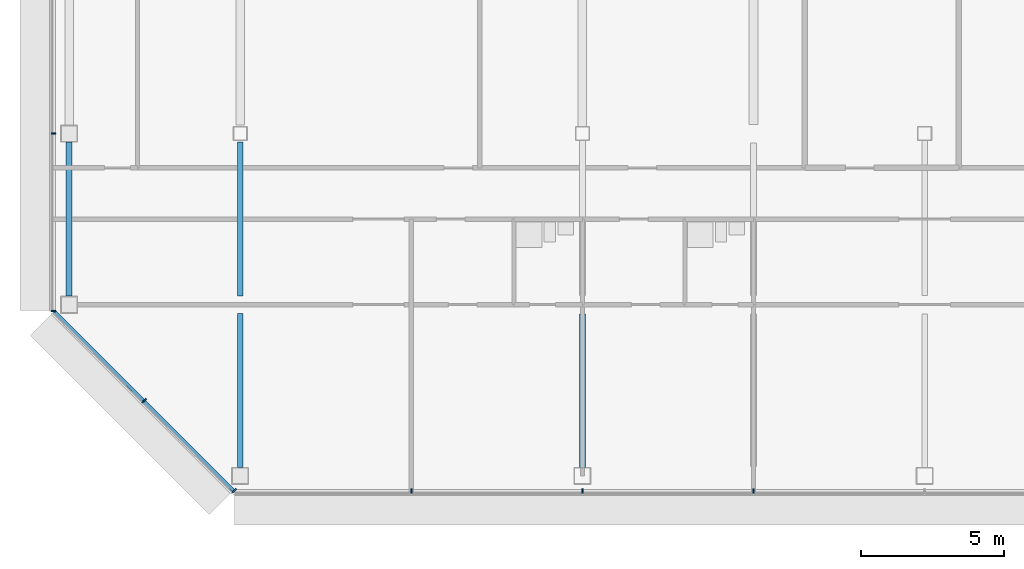
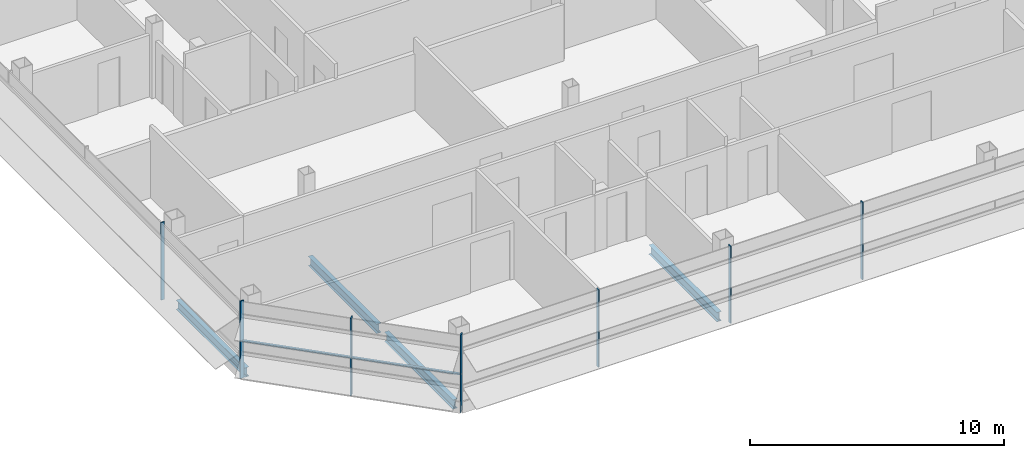
# One storey, part 3 of 28: 8 members, 4 beams, 3 elements without a shape of their own.
"""IFC4 building model written with IfcOpenShell, lengths in metres."""

from ifc_helpers import new_model, si_unit, direction, frame, origin, origin_2d, place, context, subcontext, project, spatial, rectangle, i_section, extrude, material, material_profile, profile_set, type_object, element, aggregate, save


model = new_model("IFC4")

# Units and contexts
model_context = context("Model", 3, precision=1e-05, world=origin(), true_north=direction((0.0, 1.0)))
body_context = subcontext(model_context, "Body", "Model", "MODEL_VIEW")
ifc_project = project(units=[si_unit("LENGTHUNIT", "METRE"), si_unit("AREAUNIT", "SQUARE_METRE"), si_unit("VOLUMEUNIT", "CUBIC_METRE"), si_unit("PLANEANGLEUNIT", "RADIAN"), si_unit("MASSUNIT", "GRAM", prefix="KILO")], contexts=[model_context])

# Site, building, storey
site_placement = place(None, origin())
site = spatial("IfcSite", under=ifc_project, at=site_placement, CompositionType="ELEMENT")
building_placement = place(site_placement, origin())
building = spatial("IfcBuilding", under=site, at=building_placement, Name="Sorahane Residences", CompositionType="ELEMENT")
storey_placement = place(building_placement, frame((0.0, 0.0, 290.800048828125)))
storey = spatial("IfcBuildingStorey", under=building, at=storey_placement, Name="L68", CompositionType="ELEMENT", Elevation=290.800048828125)

# Curtain wall, members
ifc_material_1 = material(Name="Dark low-e glass and black anodised aluminium", Category="aluminium")
curtain_wall_type_1 = type_object("IfcCurtainWallType", Name="Curtain wall CW-1 Typical unitised wall", PredefinedType="NOTDEFINED", material=ifc_material_1)
curtain_wall_1_placement = place(storey_placement, origin())
curtain_wall_1 = element("IfcCurtainWall", 1, at=curtain_wall_1_placement, inside=storey, type_object=curtain_wall_type_1, Name="CW-1 curtain wall L68 S1", PredefinedType="NOTDEFINED")
ifc_material_2 = material(Name="Black anodised aluminium", Category="aluminium")
ifc_material_profile_1 = material_profile(ifc_material_2, rectangle(XDim=0.159912109375, YDim=0.050048828125, at=origin_2d()), Name="Curtain wall mullion CW-1 black anodised aluminium 50x160")
ifc_profile_set_1 = profile_set([ifc_material_profile_1], Name="Black anodised aluminium")
member_type_1 = type_object("IfcMemberType", Name="Curtain wall mullion CW-1 black anodised aluminium 50x160", PredefinedType="MULLION", material=ifc_profile_set_1)
member_1_placement = place(storey_placement, frame((-6.0, -0.5400390625, -0.300048828125), z_axis=(0.0, 0.0, 1.0), x_axis=(0.0, -1.0, 0.0)))
member_1 = element("IfcMember", 2, at=member_1_placement, type_object=member_type_1, Name="CW-1 mullion L68 S1.2", PredefinedType="MULLION", context=body_context, shape_type="SweptSolid", body=[
    extrude(rectangle(XDim=0.159912109375, YDim=0.050048828125, at=origin_2d()), origin(), (0.0, 0.0, 1.0), 3.719970703125),
])
member_2_placement = place(storey_placement, frame((0.0, -0.5400390625, -0.300048828125), z_axis=(0.0, 0.0, 1.0), x_axis=(0.0, -1.0, 0.0)))
member_2 = element("IfcMember", 3, at=member_2_placement, type_object=member_type_1, Name="CW-1 mullion L68 S1.3", PredefinedType="MULLION", context=body_context, shape_type="SweptSolid", body=[
    extrude(rectangle(XDim=0.159912109375, YDim=0.050048828125, at=origin_2d()), origin(), (0.0, 0.0, 1.0), 3.719970703125),
])
member_3_placement = place(storey_placement, frame((6.0, -0.5400390625, -0.300048828125), z_axis=(0.0, 0.0, 1.0), x_axis=(0.0, -1.0, 0.0)))
member_3 = element("IfcMember", 4, at=member_3_placement, type_object=member_type_1, Name="CW-1 mullion L68 S1.4", PredefinedType="MULLION", context=body_context, shape_type="SweptSolid", body=[
    extrude(rectangle(XDim=0.159912109375, YDim=0.050048828125, at=origin_2d()), origin(), (0.0, 0.0, 1.0), 3.719970703125),
])
aggregate(curtain_wall_1, [member_1, member_2, member_3])

curtain_wall_2_placement = place(storey_placement, origin())
curtain_wall_2 = element("IfcCurtainWall", 5, at=curtain_wall_2_placement, inside=storey, type_object=curtain_wall_type_1, Name="CW-1 curtain wall L68 W1", PredefinedType="NOTDEFINED")
member_4_placement = place(storey_placement, frame((-18.5400390625, 12.0, -0.300048828125), z_axis=(0.0, 0.0, 1.0), x_axis=(-1.0, 0.0, 0.0)))
member_4 = element("IfcMember", 6, at=member_4_placement, type_object=member_type_1, Name="CW-1 mullion L68 W1.6", PredefinedType="MULLION", context=body_context, shape_type="SweptSolid", body=[
    extrude(rectangle(XDim=0.159912109375, YDim=0.050048828125, at=origin_2d()), origin(), (0.0, 0.0, 1.0), 3.719970703125),
])
member_5_placement = place(storey_placement, frame((-18.5400390625, 5.7763671875, -0.300048828125), z_axis=(0.0, 0.0, 1.0), x_axis=(-1.0, 0.0, 0.0)))
member_5 = element("IfcMember", 7, at=member_5_placement, type_object=member_type_1, Name="CW-1 mullion L68 W1.7", PredefinedType="MULLION", context=body_context, shape_type="SweptSolid", body=[
    extrude(rectangle(XDim=0.159912109375, YDim=0.050048828125, at=origin_2d()), origin(), (0.0, 0.0, 1.0), 3.719970703125),
])
aggregate(curtain_wall_2, [member_4, member_5])

ifc_material_3 = material(Name="Dark low-e glass and black anodised aluminium", Category="aluminium")
curtain_wall_type_2 = type_object("IfcCurtainWallType", Name="Curtain wall CW-2 Chamfer unitised wall", PredefinedType="NOTDEFINED", material=ifc_material_3)
curtain_wall_3_placement = place(storey_placement, origin())
curtain_wall_3 = element("IfcCurtainWall", 8, at=curtain_wall_3_placement, inside=storey, type_object=curtain_wall_type_2, Name="CW-2 curtain wall L68 SW1", PredefinedType="NOTDEFINED")
ifc_material_4 = material(Name="Black anodised aluminium", Category="aluminium")
ifc_material_profile_2 = material_profile(ifc_material_4, rectangle(XDim=0.199951171875, YDim=0.050048828125, at=origin_2d()), Name="Curtain wall mullion CW-2 black anodised aluminium 50x200")
ifc_profile_set_2 = profile_set([ifc_material_profile_2], Name="Black anodised aluminium")
member_type_2 = type_object("IfcMemberType", Name="Curtain wall mullion CW-2 black anodised aluminium 50x200", PredefinedType="MULLION", material=ifc_profile_set_2)
member_6_placement = place(storey_placement, frame((-15.36767578125, 2.63232421875, -0.300048828125), z_axis=(0.0, 0.0, 1.0), x_axis=(-0.707106781187, -0.707106781187, 0.0)))
member_6 = element("IfcMember", 9, at=member_6_placement, type_object=member_type_2, Name="CW-2 mullion L68 SW1.2", PredefinedType="MULLION", context=body_context, shape_type="SweptSolid", body=[
    extrude(rectangle(XDim=0.199951171875, YDim=0.050048828125, at=origin_2d()), origin(), (0.0, 0.0, 1.0), 3.719970703125),
])
member_7_placement = place(storey_placement, frame((-12.209716796875, -0.525634765625, -0.300048828125), z_axis=(0.0, 0.0, 1.0), x_axis=(-0.707106781187, -0.707106781187, 0.0)))
member_7 = element("IfcMember", 10, at=member_7_placement, type_object=member_type_2, Name="CW-2 mullion L68 SW1.3", PredefinedType="MULLION", context=body_context, shape_type="SweptSolid", body=[
    extrude(rectangle(XDim=0.199951171875, YDim=0.050048828125, at=origin_2d()), origin(), (0.0, 0.0, 1.0), 3.719970703125),
])
ifc_material_5 = material(Name="Black anodised aluminium", Category="aluminium")
ifc_material_profile_3 = material_profile(ifc_material_5, rectangle(XDim=0.10009765625, YDim=0.06005859375, at=origin_2d()), Name="Curtain wall transom CW-2 black anodised aluminium 60x100")
ifc_profile_set_3 = profile_set([ifc_material_profile_3], Name="Black anodised aluminium")
member_type_3 = type_object("IfcMemberType", Name="Curtain wall transom CW-2 black anodised aluminium 60x100", PredefinedType="USERDEFINED", material=ifc_profile_set_3)
member_8_placement = place(storey_placement, frame((-18.51513671875, 5.765625, 1.5), z_axis=(0.707106781187, -0.707106781187, 0.0), x_axis=(0.707106781187, 0.707106781187, 0.0)))
member_8 = element("IfcMember", 11, at=member_8_placement, type_object=member_type_3, Name="CW-2 transom L68 SW1", ObjectType="TRANSOM", PredefinedType="USERDEFINED", context=body_context, shape_type="SweptSolid", body=[
    extrude(rectangle(XDim=0.10009765625, YDim=0.06005859375, at=origin_2d()), origin(), (0.0, 0.0, 1.0), 8.88232421875),
])
aggregate(curtain_wall_3, [member_6, member_7, member_8])

# Beams
ifc_material_6 = material(Name="Steel Q355B", Category="steel")
ifc_material_profile_4 = material_profile(ifc_material_6, i_section(OverallWidth=0.199951171875, OverallDepth=0.449951171875, WebThickness=0.009033203125, FlangeThickness=0.013916015625, FilletRadius=0.02001953125, at=origin_2d()), Name="HN 450x200x9x14")
ifc_profile_set_4 = profile_set([ifc_material_profile_4], Name="Steel Q355B")
beam_type = type_object("IfcBeamType", Name="Steel floor beam HN 450x200x9x14 Q355B", PredefinedType="BEAM", material=ifc_profile_set_4)
for number, where, z_axis, x_axis, name in (
    (12, (-18.0, 6.300048828125, -0.525146484375), (0.0, 1.0, 0.0), (-1.0, 0.0, 0.0), "Beam L68 000"),
    (13, (-12.0, 0.300048828125, -0.525146484375), (0.0, 1.0, 0.0), (-1.0, 0.0, 0.0), "Beam L68 004"),
    (14, (-12.0, 6.300048828125, -0.525146484375), (0.0, 1.0, 0.0), (-1.0, 0.0, 0.0), "Beam L68 005"),
):
    element("IfcBeam", number, at=place(storey_placement, frame(where, z_axis=z_axis, x_axis=x_axis)), inside=storey, type_object=beam_type, Name=name, PredefinedType="BEAM", context=body_context, shape_type="SweptSolid", body=[
        extrude(i_section(OverallWidth=0.199951171875, OverallDepth=0.449951171875, WebThickness=0.009033203125, FlangeThickness=0.013916015625, FilletRadius=0.02001953125, at=origin_2d()), origin(), (0.0, 0.0, 1.0), 5.39990234375),
    ])
beam_placement = place(storey_placement, frame((0.0, 0.300048828125, -0.525146484375), z_axis=(0.0, 1.0, 0.0), x_axis=(-1.0, 0.0, 0.0)))
element("IfcBeam", 15, at=beam_placement, inside=storey, type_object=beam_type, Name="Beam L68 010", PredefinedType="BEAM", context=body_context, shape_type="SweptSolid", body=[
    extrude(i_section(OverallWidth=0.199951171875, OverallDepth=0.449951171875, WebThickness=0.009033203125, FlangeThickness=0.013916015625, FilletRadius=0.02001953125, at=origin_2d()), origin(), (0.0, 0.0, 1.0), 5.375),
])

save(model, "model.ifc")
